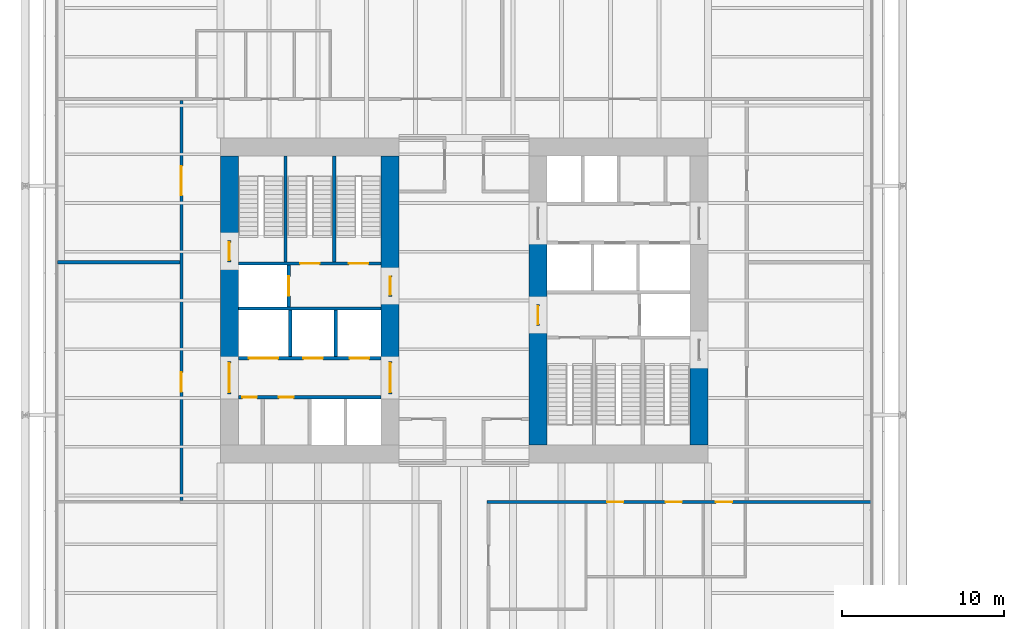
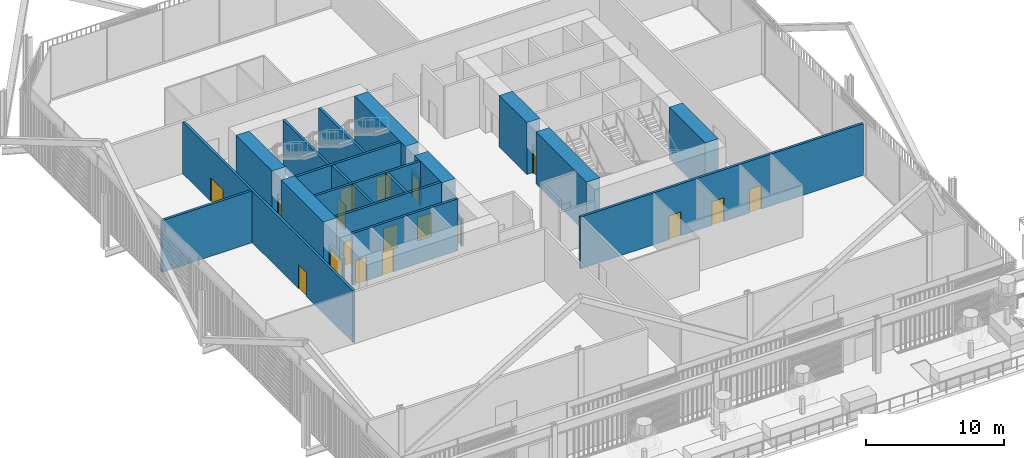
# One storey, part 20 of 26: 24 walls, 18 doors, 18 openings.
"""IFC4 building model written with IfcOpenShell, lengths in metres."""

from ifc_helpers import new_model, si_unit, direction, frame, frame_2d, origin, place, context, subcontext, project, spatial, rectangle, extrude, material, layer, layer_set, type_object, element, fill, save


model = new_model("IFC4")

# Units and contexts
model_context = context("Model", 3, precision=1e-05, world=origin(), true_north=direction((0.0, 1.0)))
body_context = subcontext(model_context, "Body", "Model", "MODEL_VIEW")
ifc_project = project(units=[si_unit("LENGTHUNIT", "METRE"), si_unit("AREAUNIT", "SQUARE_METRE"), si_unit("VOLUMEUNIT", "CUBIC_METRE"), si_unit("PLANEANGLEUNIT", "RADIAN"), si_unit("MASSUNIT", "GRAM", prefix="KILO")], contexts=[model_context])

# Site, building, storey
site_placement = place(None, origin())
site = spatial("IfcSite", under=ifc_project, at=site_placement, CompositionType="ELEMENT")
building_placement = place(site_placement, origin())
building = spatial("IfcBuilding", under=site, at=building_placement, Name="Millrace Tower", CompositionType="ELEMENT")
storey_placement = place(building_placement, frame((0.0, 0.0, 11.300048828125)))
storey = spatial("IfcBuildingStorey", under=building, at=storey_placement, Name="L03", CompositionType="ELEMENT", Elevation=11.300048828125)

# Walls
ifc_material_1 = material(Name="Concrete C80", Category="concrete")
ifc_layer_1 = layer(ifc_material_1, 1.10009765625)
ifc_layer_set_1 = layer_set([ifc_layer_1], Name="Concrete C80")
wall_type_1 = type_object("IfcWallType", Name="Core wall 1100 Concrete C80", PredefinedType="SHEAR", material=ifc_layer_set_1)
wall_1_placement = place(storey_placement, frame((-14.449951171875, -3.75, 0.0), z_axis=(0.0, 0.0, 1.0), x_axis=(0.0, 1.0, 0.0)))
element("IfcWall", 1, at=wall_1_placement, inside=storey, type_object=wall_type_1, Name="Core wall W L03", PredefinedType="SHEAR", context=body_context, shape_type="SweptSolid", body=[
    extrude(rectangle(XDim=6.1298828125, YDim=1.10009765625, at=frame_2d((3.06494140625, 0.0))), origin(), (0.0, 0.0, 1.0), 4.574951171875),
])
wall_2_placement = place(storey_placement, frame((-14.449951171875, 3.679931640625, 0.0), z_axis=(0.0, 0.0, 1.0), x_axis=(0.0, 1.0, 0.0)))
element("IfcWall", 2, at=wall_2_placement, inside=storey, type_object=wall_type_1, Name="Core wall W L03", PredefinedType="SHEAR", context=body_context, shape_type="SweptSolid", body=[
    extrude(rectangle(XDim=5.219970703125, YDim=1.10009765625, at=frame_2d((2.60986328125, 0.0))), origin(), (0.0, 0.0, 1.0), 4.574951171875),
])
wall_3_placement = place(storey_placement, frame((-4.550048828125, -3.75, 0.0), z_axis=(0.0, 0.0, 1.0), x_axis=(0.0, 1.0, 0.0)))
element("IfcWall", 3, at=wall_3_placement, inside=storey, type_object=wall_type_1, Name="Core wall W L03", PredefinedType="SHEAR", context=body_context, shape_type="SweptSolid", body=[
    extrude(rectangle(XDim=4.0, YDim=1.10009765625, at=frame_2d((2.0, 0.0))), origin(), (0.0, 0.0, 1.0), 4.574951171875),
])
wall_4_placement = place(storey_placement, frame((-4.550048828125, 1.550048828125, 0.0), z_axis=(0.0, 0.0, 1.0), x_axis=(0.0, 1.0, 0.0)))
element("IfcWall", 4, at=wall_4_placement, inside=storey, type_object=wall_type_1, Name="Core wall W L03", PredefinedType="SHEAR", context=body_context, shape_type="SweptSolid", body=[
    extrude(rectangle(XDim=7.349853515625, YDim=1.10009765625, at=frame_2d((3.6748046875, 0.0))), origin(), (0.0, 0.0, 1.0), 4.574951171875),
])
wall_5_placement = place(storey_placement, frame((14.449951171875, -3.679931640625, 0.0), z_axis=(0.0, 0.0, 1.0), x_axis=(0.0, -1.0, 0.0)))
element("IfcWall", 5, at=wall_5_placement, inside=storey, type_object=wall_type_1, Name="Core wall E L03", PredefinedType="SHEAR", context=body_context, shape_type="SweptSolid", body=[
    extrude(rectangle(XDim=5.219970703125, YDim=1.10009765625, at=frame_2d((2.60986328125, 0.0))), origin(), (0.0, 0.0, 1.0), 4.574951171875),
])
wall_6_placement = place(storey_placement, frame((4.550048828125, 3.75, 0.0), z_axis=(0.0, 0.0, 1.0), x_axis=(0.0, -1.0, 0.0)))
element("IfcWall", 6, at=wall_6_placement, inside=storey, type_object=wall_type_1, Name="Core wall E L03", PredefinedType="SHEAR", context=body_context, shape_type="SweptSolid", body=[
    extrude(rectangle(XDim=4.0, YDim=1.10009765625, at=frame_2d((2.0, 0.0))), origin(), (0.0, 0.0, 1.0), 4.574951171875),
])
wall_7_placement = place(storey_placement, frame((4.550048828125, -1.550048828125, 0.0), z_axis=(0.0, 0.0, 1.0), x_axis=(0.0, -1.0, 0.0)))
element("IfcWall", 7, at=wall_7_placement, inside=storey, type_object=wall_type_1, Name="Core wall E L03", PredefinedType="SHEAR", context=body_context, shape_type="SweptSolid", body=[
    extrude(rectangle(XDim=7.349853515625, YDim=1.10009765625, at=frame_2d((3.6748046875, 0.0))), origin(), (0.0, 0.0, 1.0), 4.574951171875),
])

# Wall, openings, doors
ifc_material_2 = material(Name="Masonry partition, fire-rated", Category="masonry")
ifc_layer_2 = layer(ifc_material_2, 0.199951171875)
ifc_layer_set_2 = layer_set([ifc_layer_2], Name="Masonry partition, fire-rated")
wall_type_2 = type_object("IfcWallType", Name="Corridor wall 200", PredefinedType="PARTITIONING", material=ifc_layer_set_2)
wall_8_placement = place(storey_placement, frame((1.39990234375, -12.39990234375, 0.0), z_axis=(0.0, 0.0, 1.0), x_axis=(1.0, 0.0, 0.0)))
wall_8 = element("IfcWall", 8, at=wall_8_placement, inside=storey, type_object=wall_type_2, Name="Corridor wall L03", PredefinedType="PARTITIONING", context=body_context, shape_type="SweptSolid", body=[
    extrude(rectangle(XDim=23.630126953125, YDim=0.199951171875, at=frame_2d((11.81494140625, 0.0))), origin(), (0.0, 0.0, 1.0), 4.574951171875),
])
opening_1_placement = place(wall_8_placement, frame((7.39990234375, 0.0, 0.0)))
opening_1 = element("IfcOpeningElement", 9, at=opening_1_placement, cuts=wall_8, Name="Opening 03-P017", PredefinedType="OPENING", context=body_context, shape_type="SweptSolid", body=[
    extrude(rectangle(XDim=1.0, YDim=2.10009765625, at=frame_2d((0.5, 1.050048828125))), frame((0.0, 0.10986328125, 0.0), z_axis=(0.0, -1.0, 0.0), x_axis=(1.0, 0.0, 0.0)), (0.0, 0.0, 1.0), 0.219970703125),
])
opening_2_placement = place(wall_8_placement, frame((11.0, 0.0, 0.0)))
opening_2 = element("IfcOpeningElement", 10, at=opening_2_placement, cuts=wall_8, Name="Opening 03-P018", PredefinedType="OPENING", context=body_context, shape_type="SweptSolid", body=[
    extrude(rectangle(XDim=1.0, YDim=2.10009765625, at=frame_2d((0.5, 1.050048828125))), frame((0.0, 0.10986328125, 0.0), z_axis=(0.0, -1.0, 0.0), x_axis=(1.0, 0.0, 0.0)), (0.0, 0.0, 1.0), 0.219970703125),
])
opening_3_placement = place(wall_8_placement, frame((14.10009765625, 0.0, 0.0)))
opening_3 = element("IfcOpeningElement", 11, at=opening_3_placement, cuts=wall_8, Name="Opening 03-P019", PredefinedType="OPENING", context=body_context, shape_type="SweptSolid", body=[
    extrude(rectangle(XDim=1.0, YDim=2.10009765625, at=frame_2d((0.5, 1.050048828125))), frame((0.0, 0.10986328125, 0.0), z_axis=(0.0, -1.0, 0.0), x_axis=(1.0, 0.0, 0.0)), (0.0, 0.0, 1.0), 0.219970703125),
])
ifc_material_3 = material(Name="Steel door set, fire-rated", Category="steel")
door_type_1 = type_object("IfcDoorType", Name="Corridor door 1000 x 2100", OperationType="SINGLE_SWING_LEFT", PredefinedType="DOOR", material=ifc_material_3)
door_1_placement = place(opening_1_placement, frame((1.0, 0.0, 0.0), z_axis=(0.0, 0.0, 1.0), x_axis=(-1.0, 0.0, 0.0)))
door_1 = element("IfcDoor", 12, at=door_1_placement, inside=storey, type_object=door_type_1, Name="Door 03-P017", OperationType="SINGLE_SWING_RIGHT", OverallHeight=2.10009765625, OverallWidth=1.0, PredefinedType="DOOR", context=body_context, shape_type="SweptSolid", body=[
    extrude(rectangle(XDim=1.0, YDim=2.10009765625, at=frame_2d((0.5, 1.050048828125))), frame((0.0, 0.02490234375, 0.0), z_axis=(0.0, -1.0, 0.0), x_axis=(1.0, 0.0, 0.0)), (0.0, 0.0, 1.0), 0.050048828125),
])
fill(opening_1, door_1)
door_2_placement = place(opening_2_placement, frame((1.0, 0.0, 0.0), z_axis=(0.0, 0.0, 1.0), x_axis=(-1.0, 0.0, 0.0)))
door_2 = element("IfcDoor", 13, at=door_2_placement, inside=storey, type_object=door_type_1, Name="Door 03-P018", OperationType="SINGLE_SWING_RIGHT", OverallHeight=2.10009765625, OverallWidth=1.0, PredefinedType="DOOR", context=body_context, shape_type="SweptSolid", body=[
    extrude(rectangle(XDim=1.0, YDim=2.10009765625, at=frame_2d((0.5, 1.050048828125))), frame((0.0, 0.02490234375, 0.0), z_axis=(0.0, -1.0, 0.0), x_axis=(1.0, 0.0, 0.0)), (0.0, 0.0, 1.0), 0.050048828125),
])
fill(opening_2, door_2)
door_3_placement = place(opening_3_placement, frame((1.0, 0.0, 0.0), z_axis=(0.0, 0.0, 1.0), x_axis=(-1.0, 0.0, 0.0)))
door_3 = element("IfcDoor", 14, at=door_3_placement, inside=storey, type_object=door_type_1, Name="Door 03-P019", OperationType="SINGLE_SWING_LEFT", OverallHeight=2.10009765625, OverallWidth=1.0, PredefinedType="DOOR", context=body_context, shape_type="SweptSolid", body=[
    extrude(rectangle(XDim=1.0, YDim=2.10009765625, at=frame_2d((0.5, 1.050048828125))), frame((0.0, 0.02490234375, 0.0), z_axis=(0.0, -1.0, 0.0), x_axis=(1.0, 0.0, 0.0)), (0.0, 0.0, 1.0), 0.050048828125),
])
fill(opening_3, door_3)

# Wall
wall_9_placement = place(storey_placement, frame((-25.030029296875, 2.35009765625, 0.0), z_axis=(0.0, 0.0, 1.0), x_axis=(1.0, 0.0, 0.0)))
element("IfcWall", 15, at=wall_9_placement, inside=storey, type_object=wall_type_2, Name="Corridor wall L03", PredefinedType="PARTITIONING", context=body_context, shape_type="SweptSolid", body=[
    extrude(rectangle(XDim=7.530029296875, YDim=0.199951171875, at=frame_2d((3.76513671875, 0.0))), origin(), (0.0, 0.0, 1.0), 4.574951171875),
])

# Wall, openings, doors
wall_10_placement = place(storey_placement, frame((-17.39990234375, -12.300048828125, 0.0), z_axis=(0.0, 0.0, 1.0), x_axis=(0.0, 1.0, 0.0)))
wall_10 = element("IfcWall", 16, at=wall_10_placement, inside=storey, type_object=wall_type_2, Name="Corridor wall L03", PredefinedType="PARTITIONING", context=body_context, shape_type="SweptSolid", body=[
    extrude(rectangle(XDim=24.60009765625, YDim=0.199951171875, at=frame_2d((12.300048828125, 0.0))), origin(), (0.0, 0.0, 1.0), 4.574951171875),
])
opening_4_placement = place(wall_10_placement, frame((6.675048828125, 0.0, 0.0)))
opening_4 = element("IfcOpeningElement", 17, at=opening_4_placement, cuts=wall_10, Name="Opening 03-P012", PredefinedType="OPENING", context=body_context, shape_type="SweptSolid", body=[
    extrude(rectangle(XDim=1.199951171875, YDim=2.10009765625, at=frame_2d((0.60009765625, 1.050048828125))), frame((0.0, 0.10986328125, 0.0), z_axis=(0.0, -1.0, 0.0), x_axis=(1.0, 0.0, 0.0)), (0.0, 0.0, 1.0), 0.219970703125),
])
opening_5_placement = place(wall_10_placement, frame((18.77490234375, 0.0, 0.0)))
opening_5 = element("IfcOpeningElement", 18, at=opening_5_placement, cuts=wall_10, Name="Opening 03-P013", PredefinedType="OPENING", context=body_context, shape_type="SweptSolid", body=[
    extrude(rectangle(XDim=1.800048828125, YDim=2.10009765625, at=frame_2d((0.89990234375, 1.050048828125))), frame((0.0, 0.10986328125, 0.0), z_axis=(0.0, -1.0, 0.0), x_axis=(1.0, 0.0, 0.0)), (0.0, 0.0, 1.0), 0.219970703125),
])
ifc_material_4 = material(Name="Steel door set, fire-rated", Category="steel")
door_type_2 = type_object("IfcDoorType", Name="Corridor door 1200 x 2100", OperationType="SINGLE_SWING_LEFT", PredefinedType="DOOR", material=ifc_material_4)
door_4_placement = place(opening_4_placement, origin())
door_4 = element("IfcDoor", 19, at=door_4_placement, inside=storey, type_object=door_type_2, Name="Door 03-P012", OperationType="SINGLE_SWING_LEFT", OverallHeight=2.10009765625, OverallWidth=1.199951171875, PredefinedType="DOOR", context=body_context, shape_type="SweptSolid", body=[
    extrude(rectangle(XDim=1.199951171875, YDim=2.10009765625, at=frame_2d((0.60009765625, 1.050048828125))), frame((0.0, 0.02490234375, 0.0), z_axis=(0.0, -1.0, 0.0), x_axis=(1.0, 0.0, 0.0)), (0.0, 0.0, 1.0), 0.050048828125),
])
fill(opening_4, door_4)
ifc_material_5 = material(Name="Steel door set, fire-rated", Category="steel")
door_type_3 = type_object("IfcDoorType", Name="Data hall door 1800 x 2100", OperationType="DOUBLE_DOOR_SINGLE_SWING", PredefinedType="DOOR", material=ifc_material_5)
door_5_placement = place(opening_5_placement, origin())
door_5 = element("IfcDoor", 20, at=door_5_placement, inside=storey, type_object=door_type_3, Name="Door 03-P013", OperationType="DOUBLE_DOOR_SINGLE_SWING", OverallHeight=2.10009765625, OverallWidth=1.800048828125, PredefinedType="DOOR", context=body_context, shape_type="SweptSolid", body=[
    extrude(rectangle(XDim=1.800048828125, YDim=2.10009765625, at=frame_2d((0.89990234375, 1.050048828125))), frame((0.0, 0.02490234375, 0.0), z_axis=(0.0, -1.0, 0.0), x_axis=(1.0, 0.0, 0.0)), (0.0, 0.0, 1.0), 0.050048828125),
])
fill(opening_5, door_5)

ifc_material_6 = material(Name="Masonry partition, fire-rated", Category="masonry")
ifc_layer_3 = layer(ifc_material_6, 0.199951171875)
ifc_layer_set_3 = layer_set([ifc_layer_3], Name="Masonry partition, fire-rated")
wall_type_3 = type_object("IfcWallType", Name="Lift shaft wall 200", PredefinedType="PARTITIONING", material=ifc_layer_set_3)
wall_11_placement = place(storey_placement, frame((-13.89990234375, -5.949951171875, 0.0), z_axis=(0.0, 0.0, 1.0), x_axis=(1.0, 0.0, 0.0)))
wall_11 = element("IfcWall", 21, at=wall_11_placement, inside=storey, type_object=wall_type_3, Name="Lift shaft wall W L03", PredefinedType="PARTITIONING", context=body_context, shape_type="SweptSolid", body=[
    extrude(rectangle(XDim=8.7998046875, YDim=0.199951171875, at=frame_2d((4.39990234375, 0.0))), origin(), (0.0, 0.0, 1.0), 4.574951171875),
])
opening_6_placement = place(wall_11_placement, frame((0.25244140625, 0.0, 0.0)))
opening_6 = element("IfcOpeningElement", 22, at=opening_6_placement, cuts=wall_11, Name="Opening 03-C005", PredefinedType="OPENING", context=body_context, shape_type="SweptSolid", body=[
    extrude(rectangle(XDim=0.89990234375, YDim=2.10009765625, at=frame_2d((0.449951171875, 1.050048828125))), frame((0.0, 0.10986328125, 0.0), z_axis=(0.0, -1.0, 0.0), x_axis=(1.0, 0.0, 0.0)), (0.0, 0.0, 1.0), 0.219970703125),
])
opening_7_placement = place(wall_11_placement, frame((2.50244140625, 0.0, 0.0)))
opening_7 = element("IfcOpeningElement", 23, at=opening_7_placement, cuts=wall_11, Name="Opening 03-C006", PredefinedType="OPENING", context=body_context, shape_type="SweptSolid", body=[
    extrude(rectangle(XDim=0.89990234375, YDim=2.10009765625, at=frame_2d((0.449951171875, 1.050048828125))), frame((0.0, 0.10986328125, 0.0), z_axis=(0.0, -1.0, 0.0), x_axis=(1.0, 0.0, 0.0)), (0.0, 0.0, 1.0), 0.219970703125),
])
ifc_material_7 = material(Name="Steel door, fire-rated", Category="steel")
door_type_4 = type_object("IfcDoorType", Name="Service room door 900 x 2100", OperationType="SINGLE_SWING_LEFT", PredefinedType="DOOR", material=ifc_material_7)
door_6_placement = place(opening_6_placement, frame((0.89990234375, 0.0, 0.0), z_axis=(0.0, 0.0, 1.0), x_axis=(-1.0, 0.0, 0.0)))
door_6 = element("IfcDoor", 24, at=door_6_placement, inside=storey, type_object=door_type_4, Name="Service room door 03-C005", OperationType="SINGLE_SWING_RIGHT", OverallHeight=2.10009765625, OverallWidth=0.89990234375, PredefinedType="DOOR", context=body_context, shape_type="SweptSolid", body=[
    extrude(rectangle(XDim=0.89990234375, YDim=2.10009765625, at=frame_2d((0.449951171875, 1.050048828125))), frame((0.0, 0.02490234375, 0.0), z_axis=(0.0, -1.0, 0.0), x_axis=(1.0, 0.0, 0.0)), (0.0, 0.0, 1.0), 0.050048828125),
])
fill(opening_6, door_6)
door_7_placement = place(opening_7_placement, frame((0.89990234375, 0.0, 0.0), z_axis=(0.0, 0.0, 1.0), x_axis=(-1.0, 0.0, 0.0)))
door_7 = element("IfcDoor", 25, at=door_7_placement, inside=storey, type_object=door_type_4, Name="Service room door 03-C006", OperationType="SINGLE_SWING_RIGHT", OverallHeight=2.10009765625, OverallWidth=0.89990234375, PredefinedType="DOOR", context=body_context, shape_type="SweptSolid", body=[
    extrude(rectangle(XDim=0.89990234375, YDim=2.10009765625, at=frame_2d((0.449951171875, 1.050048828125))), frame((0.0, 0.02490234375, 0.0), z_axis=(0.0, -1.0, 0.0), x_axis=(1.0, 0.0, 0.0)), (0.0, 0.0, 1.0), 0.050048828125),
])
fill(opening_7, door_7)

wall_12_placement = place(storey_placement, frame((-13.89990234375, -3.550048828125, 0.0), z_axis=(0.0, 0.0, 1.0), x_axis=(1.0, 0.0, 0.0)))
wall_12 = element("IfcWall", 26, at=wall_12_placement, inside=storey, type_object=wall_type_3, Name="Lift shaft wall W L03", PredefinedType="PARTITIONING", context=body_context, shape_type="SweptSolid", body=[
    extrude(rectangle(XDim=8.7998046875, YDim=0.199951171875, at=frame_2d((4.39990234375, 0.0))), origin(), (0.0, 0.0, 1.0), 4.574951171875),
])
opening_8_placement = place(wall_12_placement, frame((0.64990234375, 0.0, 0.0)))
opening_8 = element("IfcOpeningElement", 27, at=opening_8_placement, cuts=wall_12, Name="Opening 03-LD05", PredefinedType="OPENING", context=body_context, shape_type="SweptSolid", body=[
    extrude(rectangle(XDim=1.800048828125, YDim=2.10009765625, at=frame_2d((0.89990234375, 1.050048828125))), frame((0.0, 0.10986328125, 0.0), z_axis=(0.0, -1.0, 0.0), x_axis=(1.0, 0.0, 0.0)), (0.0, 0.0, 1.0), 0.219970703125),
])
opening_9_placement = place(wall_12_placement, frame((4.0, 0.0, 0.0)))
opening_9 = element("IfcOpeningElement", 28, at=opening_9_placement, cuts=wall_12, Name="Opening 03-LD06", PredefinedType="OPENING", context=body_context, shape_type="SweptSolid", body=[
    extrude(rectangle(XDim=1.199951171875, YDim=2.10009765625, at=frame_2d((0.60009765625, 1.050048828125))), frame((0.0, 0.10986328125, 0.0), z_axis=(0.0, -1.0, 0.0), x_axis=(1.0, 0.0, 0.0)), (0.0, 0.0, 1.0), 0.219970703125),
])
opening_10_placement = place(wall_12_placement, frame((6.85009765625, 0.0, 0.0)))
opening_10 = element("IfcOpeningElement", 29, at=opening_10_placement, cuts=wall_12, Name="Opening 03-LD07", PredefinedType="OPENING", context=body_context, shape_type="SweptSolid", body=[
    extrude(rectangle(XDim=1.199951171875, YDim=2.10009765625, at=frame_2d((0.60009765625, 1.050048828125))), frame((0.0, 0.10986328125, 0.0), z_axis=(0.0, -1.0, 0.0), x_axis=(1.0, 0.0, 0.0)), (0.0, 0.0, 1.0), 0.219970703125),
])
ifc_material_8 = material(Name="Stainless steel, fire-rated", Category="steel")
door_type_5 = type_object("IfcDoorType", Name="Lift landing door 1200 x 2100", OperationType="DOUBLE_DOOR_SLIDING", PredefinedType="DOOR", material=ifc_material_8)
door_8_placement = place(opening_9_placement, origin())
door_8 = element("IfcDoor", 30, at=door_8_placement, inside=storey, type_object=door_type_5, Name="Lift landing door LF6 L03", OperationType="DOUBLE_DOOR_SLIDING", OverallHeight=2.10009765625, OverallWidth=1.199951171875, PredefinedType="DOOR", context=body_context, shape_type="SweptSolid", body=[
    extrude(rectangle(XDim=1.199951171875, YDim=2.10009765625, at=frame_2d((0.60009765625, 1.050048828125))), frame((0.0, 0.02490234375, 0.0), z_axis=(0.0, -1.0, 0.0), x_axis=(1.0, 0.0, 0.0)), (0.0, 0.0, 1.0), 0.050048828125),
])
fill(opening_9, door_8)
door_9_placement = place(opening_10_placement, origin())
door_9 = element("IfcDoor", 31, at=door_9_placement, inside=storey, type_object=door_type_5, Name="Lift landing door LF7 L03", OperationType="DOUBLE_DOOR_SLIDING", OverallHeight=2.10009765625, OverallWidth=1.199951171875, PredefinedType="DOOR", context=body_context, shape_type="SweptSolid", body=[
    extrude(rectangle(XDim=1.199951171875, YDim=2.10009765625, at=frame_2d((0.60009765625, 1.050048828125))), frame((0.0, 0.02490234375, 0.0), z_axis=(0.0, -1.0, 0.0), x_axis=(1.0, 0.0, 0.0)), (0.0, 0.0, 1.0), 0.050048828125),
])
fill(opening_10, door_9)
ifc_material_9 = material(Name="Stainless steel, fire-rated", Category="steel")
door_type_6 = type_object("IfcDoorType", Name="Lift landing door 1800 x 2100", OperationType="DOUBLE_DOOR_SLIDING", PredefinedType="DOOR", material=ifc_material_9)
door_10_placement = place(opening_8_placement, origin())
door_10 = element("IfcDoor", 32, at=door_10_placement, inside=storey, type_object=door_type_6, Name="Lift landing door LF5 L03", OperationType="DOUBLE_DOOR_SLIDING", OverallHeight=2.10009765625, OverallWidth=1.800048828125, PredefinedType="DOOR", context=body_context, shape_type="SweptSolid", body=[
    extrude(rectangle(XDim=1.800048828125, YDim=2.10009765625, at=frame_2d((0.89990234375, 1.050048828125))), frame((0.0, 0.02490234375, 0.0), z_axis=(0.0, -1.0, 0.0), x_axis=(1.0, 0.0, 0.0)), (0.0, 0.0, 1.0), 0.050048828125),
])
fill(opening_8, door_10)

# Wall
wall_13_placement = place(storey_placement, frame((-13.89990234375, -0.5, 0.0), z_axis=(0.0, 0.0, 1.0), x_axis=(1.0, 0.0, 0.0)))
element("IfcWall", 33, at=wall_13_placement, inside=storey, type_object=wall_type_3, Name="Lift shaft wall W L03", PredefinedType="PARTITIONING", context=body_context, shape_type="SweptSolid", body=[
    extrude(rectangle(XDim=8.7998046875, YDim=0.199951171875, at=frame_2d((4.39990234375, 0.0))), origin(), (0.0, 0.0, 1.0), 4.574951171875),
])

# Wall, opening, door
wall_14_placement = place(storey_placement, frame((-10.800048828125, -0.39990234375, 0.0), z_axis=(0.0, 0.0, 1.0), x_axis=(0.0, 1.0, 0.0)))
wall_14 = element("IfcWall", 34, at=wall_14_placement, inside=storey, type_object=wall_type_3, Name="Lift shaft wall W L03", PredefinedType="PARTITIONING", context=body_context, shape_type="SweptSolid", body=[
    extrude(rectangle(XDim=2.579833984375, YDim=0.199951171875, at=frame_2d((1.2900390625, 0.0))), origin(), (0.0, 0.0, 1.0), 4.574951171875),
])
opening_11_placement = place(wall_14_placement, frame((0.68994140625, 0.0, 0.0)))
opening_11 = element("IfcOpeningElement", 35, at=opening_11_placement, cuts=wall_14, Name="Opening 03-LD08", PredefinedType="OPENING", context=body_context, shape_type="SweptSolid", body=[
    extrude(rectangle(XDim=1.199951171875, YDim=2.10009765625, at=frame_2d((0.60009765625, 1.050048828125))), frame((0.0, 0.10986328125, 0.0), z_axis=(0.0, -1.0, 0.0), x_axis=(1.0, 0.0, 0.0)), (0.0, 0.0, 1.0), 0.219970703125),
])
door_11_placement = place(opening_11_placement, origin())
door_11 = element("IfcDoor", 36, at=door_11_placement, inside=storey, type_object=door_type_5, Name="Lift landing door LF8 L03", OperationType="DOUBLE_DOOR_SLIDING", OverallHeight=2.10009765625, OverallWidth=1.199951171875, PredefinedType="DOOR", context=body_context, shape_type="SweptSolid", body=[
    extrude(rectangle(XDim=1.199951171875, YDim=2.10009765625, at=frame_2d((0.60009765625, 1.050048828125))), frame((0.0, 0.02490234375, 0.0), z_axis=(0.0, -1.0, 0.0), x_axis=(1.0, 0.0, 0.0)), (0.0, 0.0, 1.0), 0.050048828125),
])
fill(opening_11, door_11)

# Walls
for number, where, z_axis, x_axis, name in (
    (37, (-10.699951171875, -3.449951171875, 0.0), (0.0, 0.0, 1.0), (0.0, 1.0, 0.0), "Lift shaft wall W L03"),
    (38, (-7.89990234375, -3.449951171875, 0.0), (0.0, 0.0, 1.0), (0.0, 1.0, 0.0), "Lift shaft wall W L03"),
):
    element("IfcWall", number, at=place(storey_placement, frame(where, z_axis=z_axis, x_axis=x_axis)), inside=storey, type_object=wall_type_3, Name=name, PredefinedType="PARTITIONING", context=body_context, shape_type="SweptSolid", body=[
        extrude(rectangle(XDim=2.849853515625, YDim=0.199951171875, at=frame_2d((1.4248046875, 0.0))), origin(), (0.0, 0.0, 1.0), 4.574951171875),
    ])

# Wall, opening, door
ifc_material_10 = material(Name="Masonry partition, fire-rated", Category="masonry")
ifc_layer_4 = layer(ifc_material_10, 0.199951171875)
ifc_layer_set_4 = layer_set([ifc_layer_4], Name="Masonry partition, fire-rated")
wall_type_4 = type_object("IfcWallType", Name="Lobby wall 200", PredefinedType="PARTITIONING", material=ifc_layer_set_4)
wall_15_placement = place(storey_placement, frame((-14.449951171875, -5.75, 0.0), z_axis=(0.0, 0.0, 1.0), x_axis=(0.0, 1.0, 0.0)))
wall_15 = element("IfcWall", 39, at=wall_15_placement, inside=storey, type_object=wall_type_4, Name="Lobby wall W L03", PredefinedType="PARTITIONING", context=body_context, shape_type="SweptSolid", body=[
    extrude(rectangle(XDim=2.0, YDim=0.199951171875, at=frame_2d((1.0, 0.0))), origin(), (0.0, 0.0, 1.0), 2.39990234375),
])
opening_12_placement = place(wall_15_placement, frame((0.10009765625, 0.0, 0.0)))
opening_12 = element("IfcOpeningElement", 40, at=opening_12_placement, cuts=wall_15, Name="Opening 03-C001", PredefinedType="OPENING", context=body_context, shape_type="SweptSolid", body=[
    extrude(rectangle(XDim=1.800048828125, YDim=2.10009765625, at=frame_2d((0.89990234375, 1.050048828125))), frame((0.0, 0.10986328125, 0.0), z_axis=(0.0, -1.0, 0.0), x_axis=(1.0, 0.0, 0.0)), (0.0, 0.0, 1.0), 0.219970703125),
])
ifc_material_11 = material(Name="Steel door, fire-rated", Category="steel")
door_type_7 = type_object("IfcDoorType", Name="Lobby door 1800 x 2100", OperationType="DOUBLE_DOOR_SINGLE_SWING", PredefinedType="DOOR", material=ifc_material_11)
door_12_placement = place(opening_12_placement, origin())
door_12 = element("IfcDoor", 41, at=door_12_placement, inside=storey, type_object=door_type_7, Name="Lobby door 03-C001", OperationType="DOUBLE_DOOR_SINGLE_SWING", OverallHeight=2.10009765625, OverallWidth=1.800048828125, PredefinedType="DOOR", context=body_context, shape_type="SweptSolid", body=[
    extrude(rectangle(XDim=1.800048828125, YDim=2.10009765625, at=frame_2d((0.89990234375, 1.050048828125))), frame((0.0, 0.02490234375, 0.0), z_axis=(0.0, -1.0, 0.0), x_axis=(1.0, 0.0, 0.0)), (0.0, 0.0, 1.0), 0.050048828125),
])
fill(opening_12, door_12)

wall_16_placement = place(storey_placement, frame((-4.550048828125, -5.75, 0.0), z_axis=(0.0, 0.0, 1.0), x_axis=(0.0, 1.0, 0.0)))
wall_16 = element("IfcWall", 42, at=wall_16_placement, inside=storey, type_object=wall_type_4, Name="Lobby wall W L03", PredefinedType="PARTITIONING", context=body_context, shape_type="SweptSolid", body=[
    extrude(rectangle(XDim=2.0, YDim=0.199951171875, at=frame_2d((1.0, 0.0))), origin(), (0.0, 0.0, 1.0), 2.39990234375),
])
opening_13_placement = place(wall_16_placement, frame((0.10009765625, 0.0, 0.0)))
opening_13 = element("IfcOpeningElement", 43, at=opening_13_placement, cuts=wall_16, Name="Opening 03-C003", PredefinedType="OPENING", context=body_context, shape_type="SweptSolid", body=[
    extrude(rectangle(XDim=1.800048828125, YDim=2.10009765625, at=frame_2d((0.89990234375, 1.050048828125))), frame((0.0, 0.10986328125, 0.0), z_axis=(0.0, -1.0, 0.0), x_axis=(1.0, 0.0, 0.0)), (0.0, 0.0, 1.0), 0.219970703125),
])
door_13_placement = place(opening_13_placement, origin())
door_13 = element("IfcDoor", 44, at=door_13_placement, inside=storey, type_object=door_type_7, Name="Lobby door 03-C003", OperationType="DOUBLE_DOOR_SINGLE_SWING", OverallHeight=2.10009765625, OverallWidth=1.800048828125, PredefinedType="DOOR", context=body_context, shape_type="SweptSolid", body=[
    extrude(rectangle(XDim=1.800048828125, YDim=2.10009765625, at=frame_2d((0.89990234375, 1.050048828125))), frame((0.0, 0.02490234375, 0.0), z_axis=(0.0, -1.0, 0.0), x_axis=(1.0, 0.0, 0.0)), (0.0, 0.0, 1.0), 0.050048828125),
])
fill(opening_13, door_13)

wall_17_placement = place(storey_placement, frame((-4.550048828125, 0.25, 0.0), z_axis=(0.0, 0.0, 1.0), x_axis=(0.0, 1.0, 0.0)))
wall_17 = element("IfcWall", 45, at=wall_17_placement, inside=storey, type_object=wall_type_4, Name="Lobby wall W L03", PredefinedType="PARTITIONING", context=body_context, shape_type="SweptSolid", body=[
    extrude(rectangle(XDim=1.300048828125, YDim=0.199951171875, at=frame_2d((0.64990234375, 0.0))), origin(), (0.0, 0.0, 1.0), 2.39990234375),
])
opening_14_placement = place(wall_17_placement, frame((0.10009765625, 0.0, 0.0)))
opening_14 = element("IfcOpeningElement", 46, at=opening_14_placement, cuts=wall_17, Name="Opening 03-C004", PredefinedType="OPENING", context=body_context, shape_type="SweptSolid", body=[
    extrude(rectangle(XDim=1.10009765625, YDim=2.10009765625, at=frame_2d((0.550048828125, 1.050048828125))), frame((0.0, 0.10986328125, 0.0), z_axis=(0.0, -1.0, 0.0), x_axis=(1.0, 0.0, 0.0)), (0.0, 0.0, 1.0), 0.219970703125),
])
ifc_material_12 = material(Name="Steel door, fire-rated", Category="steel")
door_type_8 = type_object("IfcDoorType", Name="Lobby door 1100 x 2100", OperationType="SINGLE_SWING_LEFT", PredefinedType="DOOR", material=ifc_material_12)
door_14_placement = place(opening_14_placement, origin())
door_14 = element("IfcDoor", 47, at=door_14_placement, inside=storey, type_object=door_type_8, Name="Lobby door 03-C004", OperationType="SINGLE_SWING_LEFT", OverallHeight=2.10009765625, OverallWidth=1.10009765625, PredefinedType="DOOR", context=body_context, shape_type="SweptSolid", body=[
    extrude(rectangle(XDim=1.10009765625, YDim=2.10009765625, at=frame_2d((0.550048828125, 1.050048828125))), frame((0.0, 0.02490234375, 0.0), z_axis=(0.0, -1.0, 0.0), x_axis=(1.0, 0.0, 0.0)), (0.0, 0.0, 1.0), 0.050048828125),
])
fill(opening_14, door_14)

wall_18_placement = place(storey_placement, frame((4.550048828125, -0.25, 0.0), z_axis=(0.0, 0.0, 1.0), x_axis=(0.0, -1.0, 0.0)))
wall_18 = element("IfcWall", 48, at=wall_18_placement, inside=storey, type_object=wall_type_4, Name="Lobby wall E L03", PredefinedType="PARTITIONING", context=body_context, shape_type="SweptSolid", body=[
    extrude(rectangle(XDim=1.300048828125, YDim=0.199951171875, at=frame_2d((0.64990234375, 0.0))), origin(), (0.0, 0.0, 1.0), 2.39990234375),
])
opening_15_placement = place(wall_18_placement, frame((0.10009765625, 0.0, 0.0)))
opening_15 = element("IfcOpeningElement", 49, at=opening_15_placement, cuts=wall_18, Name="Opening 03-C012", PredefinedType="OPENING", context=body_context, shape_type="SweptSolid", body=[
    extrude(rectangle(XDim=1.10009765625, YDim=2.10009765625, at=frame_2d((0.550048828125, 1.050048828125))), frame((0.0, 0.10986328125, 0.0), z_axis=(0.0, -1.0, 0.0), x_axis=(1.0, 0.0, 0.0)), (0.0, 0.0, 1.0), 0.219970703125),
])
door_15_placement = place(opening_15_placement, origin())
door_15 = element("IfcDoor", 50, at=door_15_placement, inside=storey, type_object=door_type_8, Name="Lobby door 03-C012", OperationType="SINGLE_SWING_RIGHT", OverallHeight=2.10009765625, OverallWidth=1.10009765625, PredefinedType="DOOR", context=body_context, shape_type="SweptSolid", body=[
    extrude(rectangle(XDim=1.10009765625, YDim=2.10009765625, at=frame_2d((0.550048828125, 1.050048828125))), frame((0.0, 0.02490234375, 0.0), z_axis=(0.0, -1.0, 0.0), x_axis=(1.0, 0.0, 0.0)), (0.0, 0.0, 1.0), 0.050048828125),
])
fill(opening_15, door_15)

ifc_material_13 = material(Name="Concrete C40", Category="concrete")
ifc_layer_5 = layer(ifc_material_13, 0.199951171875)
ifc_layer_set_5 = layer_set([ifc_layer_5], Name="Concrete C40")
wall_type_5 = type_object("IfcWallType", Name="Stair enclosure wall 200 Concrete C40", PredefinedType="SHEAR", material=ifc_layer_set_5)
wall_19_placement = place(storey_placement, frame((-14.449951171875, 2.3798828125, 0.0), z_axis=(0.0, 0.0, 1.0), x_axis=(0.0, 1.0, 0.0)))
wall_19 = element("IfcWall", 51, at=wall_19_placement, inside=storey, type_object=wall_type_5, Name="Stair enclosure wall W L03", PredefinedType="SHEAR", context=body_context, shape_type="SweptSolid", body=[
    extrude(rectangle(XDim=1.300048828125, YDim=0.199951171875, at=frame_2d((0.64990234375, 0.0))), origin(), (0.0, 0.0, 1.0), 2.39990234375),
])
opening_16_placement = place(wall_19_placement, frame((0.10009765625, 0.0, 0.0)))
opening_16 = element("IfcOpeningElement", 52, at=opening_16_placement, cuts=wall_19, Name="Opening 03-C002", PredefinedType="OPENING", context=body_context, shape_type="SweptSolid", body=[
    extrude(rectangle(XDim=1.10009765625, YDim=2.10009765625, at=frame_2d((0.550048828125, 1.050048828125))), frame((0.0, 0.10986328125, 0.0), z_axis=(0.0, -1.0, 0.0), x_axis=(1.0, 0.0, 0.0)), (0.0, 0.0, 1.0), 0.219970703125),
])
ifc_material_14 = material(Name="Steel door, fire-rated", Category="steel")
door_type_9 = type_object("IfcDoorType", Name="Stair door 1100 x 2100", OperationType="SINGLE_SWING_LEFT", PredefinedType="DOOR", material=ifc_material_14)
door_16_placement = place(opening_16_placement, origin())
door_16 = element("IfcDoor", 53, at=door_16_placement, inside=storey, type_object=door_type_9, Name="Stair door 03-C002", OperationType="SINGLE_SWING_RIGHT", OverallHeight=2.10009765625, OverallWidth=1.10009765625, PredefinedType="DOOR", context=body_context, shape_type="SweptSolid", body=[
    extrude(rectangle(XDim=1.10009765625, YDim=2.10009765625, at=frame_2d((0.550048828125, 1.050048828125))), frame((0.0, 0.02490234375, 0.0), z_axis=(0.0, -1.0, 0.0), x_axis=(1.0, 0.0, 0.0)), (0.0, 0.0, 1.0), 0.050048828125),
])
fill(opening_16, door_16)

# Wall, openings, doors
wall_20_placement = place(storey_placement, frame((-13.89990234375, 2.280029296875, 0.0), z_axis=(0.0, 0.0, 1.0), x_axis=(1.0, 0.0, 0.0)))
wall_20 = element("IfcWall", 54, at=wall_20_placement, inside=storey, type_object=wall_type_5, Name="Stair enclosure wall W L03", PredefinedType="SHEAR", context=body_context, shape_type="SweptSolid", body=[
    extrude(rectangle(XDim=8.7998046875, YDim=0.199951171875, at=frame_2d((4.39990234375, 0.0))), origin(), (0.0, 0.0, 1.0), 4.574951171875),
])
opening_17_placement = place(wall_20_placement, frame((3.800048828125, 0.0, 0.0)))
opening_17 = element("IfcOpeningElement", 55, at=opening_17_placement, cuts=wall_20, Name="Opening 03-C007", PredefinedType="OPENING", context=body_context, shape_type="SweptSolid", body=[
    extrude(rectangle(XDim=1.199951171875, YDim=2.10009765625, at=frame_2d((0.60009765625, 1.050048828125))), frame((0.0, 0.10986328125, 0.0), z_axis=(0.0, -1.0, 0.0), x_axis=(1.0, 0.0, 0.0)), (0.0, 0.0, 1.0), 0.219970703125),
])
opening_18_placement = place(wall_20_placement, frame((6.800048828125, 0.0, 0.0)))
opening_18 = element("IfcOpeningElement", 56, at=opening_18_placement, cuts=wall_20, Name="Opening 03-C008", PredefinedType="OPENING", context=body_context, shape_type="SweptSolid", body=[
    extrude(rectangle(XDim=1.199951171875, YDim=2.10009765625, at=frame_2d((0.60009765625, 1.050048828125))), frame((0.0, 0.10986328125, 0.0), z_axis=(0.0, -1.0, 0.0), x_axis=(1.0, 0.0, 0.0)), (0.0, 0.0, 1.0), 0.219970703125),
])
ifc_material_15 = material(Name="Steel door, fire-rated", Category="steel")
door_type_10 = type_object("IfcDoorType", Name="Stair door 1200 x 2100", OperationType="SINGLE_SWING_LEFT", PredefinedType="DOOR", material=ifc_material_15)
door_17_placement = place(opening_17_placement, frame((1.199951171875, 0.0, 0.0), z_axis=(0.0, 0.0, 1.0), x_axis=(-1.0, 0.0, 0.0)))
door_17 = element("IfcDoor", 57, at=door_17_placement, inside=storey, type_object=door_type_10, Name="Stair door 03-C007", OperationType="SINGLE_SWING_LEFT", OverallHeight=2.10009765625, OverallWidth=1.199951171875, PredefinedType="DOOR", context=body_context, shape_type="SweptSolid", body=[
    extrude(rectangle(XDim=1.199951171875, YDim=2.10009765625, at=frame_2d((0.60009765625, 1.050048828125))), frame((0.0, 0.02490234375, 0.0), z_axis=(0.0, -1.0, 0.0), x_axis=(1.0, 0.0, 0.0)), (0.0, 0.0, 1.0), 0.050048828125),
])
fill(opening_17, door_17)
door_18_placement = place(opening_18_placement, frame((1.199951171875, 0.0, 0.0), z_axis=(0.0, 0.0, 1.0), x_axis=(-1.0, 0.0, 0.0)))
door_18 = element("IfcDoor", 58, at=door_18_placement, inside=storey, type_object=door_type_10, Name="Stair door 03-C008", OperationType="SINGLE_SWING_LEFT", OverallHeight=2.10009765625, OverallWidth=1.199951171875, PredefinedType="DOOR", context=body_context, shape_type="SweptSolid", body=[
    extrude(rectangle(XDim=1.199951171875, YDim=2.10009765625, at=frame_2d((0.60009765625, 1.050048828125))), frame((0.0, 0.02490234375, 0.0), z_axis=(0.0, -1.0, 0.0), x_axis=(1.0, 0.0, 0.0)), (0.0, 0.0, 1.0), 0.050048828125),
])
fill(opening_18, door_18)

# Walls
for number, where, z_axis, x_axis, name in (
    (59, (-11.0, 2.3798828125, 0.0), (0.0, 0.0, 1.0), (0.0, 1.0, 0.0), "Stair enclosure wall W L03"),
    (60, (-8.0, 2.3798828125, 0.0), (0.0, 0.0, 1.0), (0.0, 1.0, 0.0), "Stair enclosure wall W L03"),
):
    element("IfcWall", number, at=place(storey_placement, frame(where, z_axis=z_axis, x_axis=x_axis)), inside=storey, type_object=wall_type_5, Name=name, PredefinedType="SHEAR", context=body_context, shape_type="SweptSolid", body=[
        extrude(rectangle(XDim=6.52001953125, YDim=0.199951171875, at=frame_2d((3.260009765625, 0.0))), origin(), (0.0, 0.0, 1.0), 4.574951171875),
    ])

save(model, "model.ifc")
